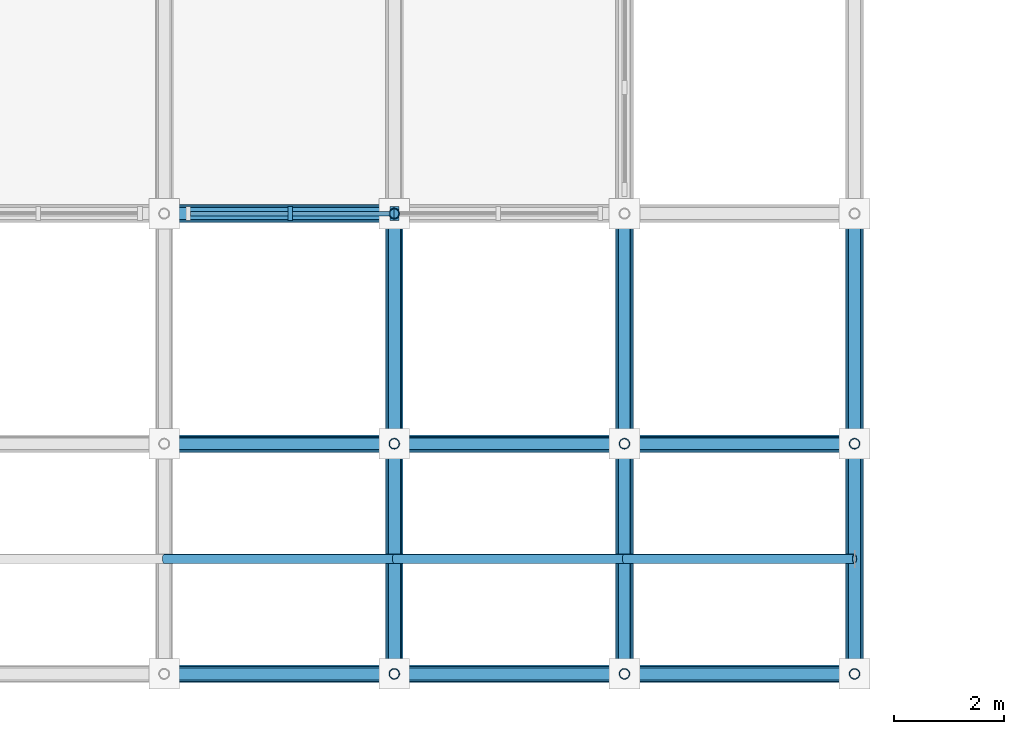
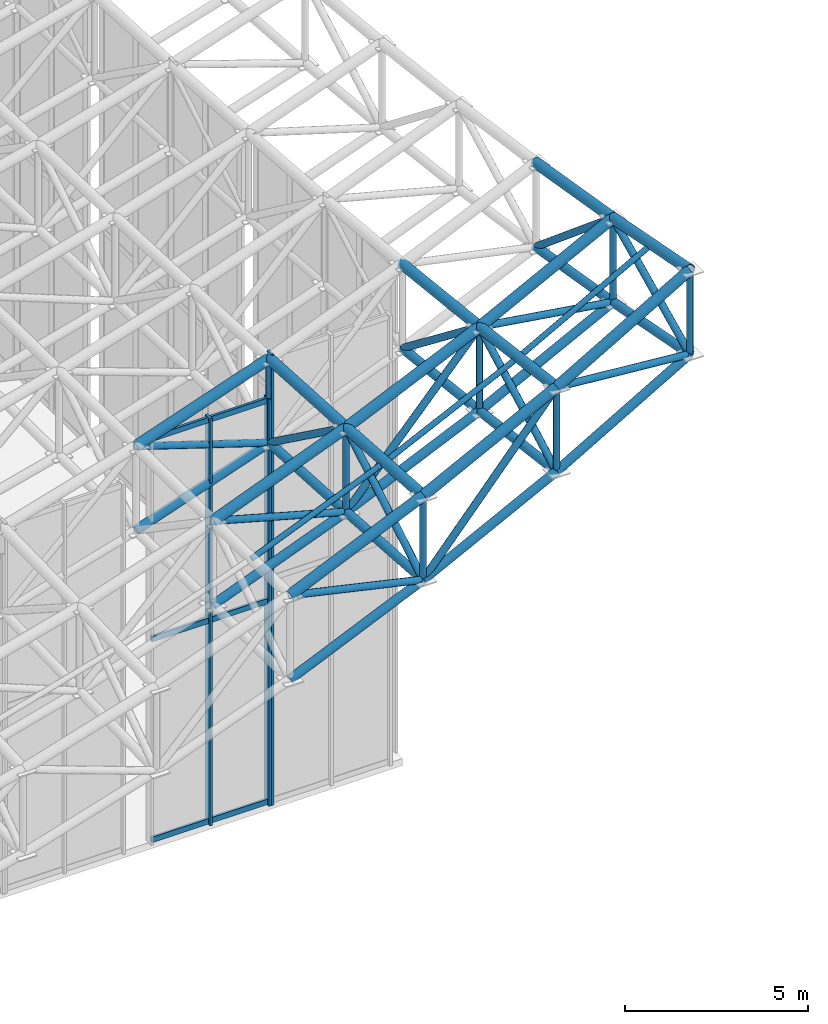
# One storey, part 38 of 93: 58 members, 2 elements without a shape of their own.
"""IFC4 building model written with IfcOpenShell, lengths in metres."""

from ifc_helpers import new_model, si_unit, direction, frame, origin, origin_2d, place, context, subcontext, project, spatial, rectangle, hollow_circle, extrude, material, material_profile, profile_set, type_object, element, aggregate, save


model = new_model("IFC4")

# Units and contexts
model_context = context("Model", 3, precision=1e-05, world=origin(), true_north=direction((0.0, 1.0)))
body_context = subcontext(model_context, "Body", "Model", "MODEL_VIEW")
ifc_project = project(units=[si_unit("LENGTHUNIT", "METRE"), si_unit("AREAUNIT", "SQUARE_METRE"), si_unit("VOLUMEUNIT", "CUBIC_METRE"), si_unit("PLANEANGLEUNIT", "RADIAN"), si_unit("MASSUNIT", "GRAM", prefix="KILO")], contexts=[model_context])

# Site, building, storey
site_placement = place(None, origin())
site = spatial("IfcSite", under=ifc_project, at=site_placement, CompositionType="ELEMENT")
building_placement = place(site_placement, origin())
building = spatial("IfcBuilding", under=site, at=building_placement, Name="Cumbredor Promenade Congress Hotel", CompositionType="ELEMENT")
storey_placement = place(building_placement, frame((0.0, 0.0, 21.840087890625)))
storey = spatial("IfcBuildingStorey", under=building, at=storey_placement, Name="L06", CompositionType="ELEMENT", Elevation=21.840087890625)

# Curtain wall, members
ifc_material_1 = material(Name="Thermally broken anodized aluminium and low-E glass", Category="aluminium")
curtain_wall_type = type_object("IfcCurtainWallType", Name="Stepped Pavilion Clerestory Curtain Wall CW-06", PredefinedType="NOTDEFINED", material=ifc_material_1)
curtain_wall_1_placement = place(storey_placement, origin())
curtain_wall_1 = element("IfcCurtainWall", 1, at=curtain_wall_1_placement, inside=storey, type_object=curtain_wall_type, Name="Plenary Congress Hall S Glazed Clerestory 13", PredefinedType="NOTDEFINED")
ifc_material_2 = material(Name="Thermally broken anodized aluminium", Category="aluminium")
ifc_material_profile_1 = material_profile(ifc_material_2, rectangle(XDim=0.0849609375, YDim=0.260009765625, at=origin_2d()), Name="ALU MULLION CLERESTORY 85x260")
ifc_profile_set_1 = profile_set([ifc_material_profile_1], Name="Thermally broken anodized aluminium")
member_type_1 = type_object("IfcMemberType", Name="Curtain Wall Mullion ML-04", PredefinedType="MULLION", material=ifc_profile_set_1)
member_1_placement = place(storey_placement, frame((61.10009765625, 8.39990234375, -0.01806640625), z_axis=(0.0, 0.0, 1.0), x_axis=(1.0, 0.0, 0.0)))
member_1 = element("IfcMember", 2, at=member_1_placement, type_object=member_type_1, Name="Plenary Congress Hall S Glazed Clerestory 13 Mullion 2", PredefinedType="MULLION", context=body_context, shape_type="SweptSolid", body=[
    extrude(rectangle(XDim=0.0849609375, YDim=0.260009765625, at=origin_2d()), origin(), (0.0, 0.0, 1.0), 13.553955078125),
])
member_2_placement = place(storey_placement, frame((62.9599609375, 8.39990234375, -0.01806640625), z_axis=(0.0, 0.0, 1.0), x_axis=(1.0, 0.0, 0.0)))
member_2 = element("IfcMember", 3, at=member_2_placement, type_object=member_type_1, Name="Plenary Congress Hall S Glazed Clerestory 13 Mullion 3", PredefinedType="MULLION", context=body_context, shape_type="SweptSolid", body=[
    extrude(rectangle(XDim=0.0849609375, YDim=0.260009765625, at=origin_2d()), origin(), (0.0, 0.0, 1.0), 13.553955078125),
])

# Curtain wall, member
curtain_wall_2_placement = place(storey_placement, origin())
curtain_wall_2 = element("IfcCurtainWall", 4, at=curtain_wall_2_placement, inside=storey, type_object=curtain_wall_type, Name="Plenary Congress Hall S Glazed Clerestory 14", PredefinedType="NOTDEFINED")
member_3_placement = place(storey_placement, frame((63.0400390625, 8.39990234375, -0.01806640625), z_axis=(0.0, 0.0, 1.0), x_axis=(1.0, 0.0, 0.0)))
member_3 = element("IfcMember", 5, at=member_3_placement, type_object=member_type_1, Name="Plenary Congress Hall S Glazed Clerestory 14 Mullion 1", PredefinedType="MULLION", context=body_context, shape_type="SweptSolid", body=[
    extrude(rectangle(XDim=0.0849609375, YDim=0.260009765625, at=origin_2d()), origin(), (0.0, 0.0, 1.0), 15.0029296875),
])
aggregate(curtain_wall_2, [member_3])

# Member
ifc_material_profile_2 = material_profile(ifc_material_2, rectangle(XDim=0.080078125, YDim=0.179931640625, at=origin_2d()), Name="ALU TRANSOM 80x180")
ifc_profile_set_2 = profile_set([ifc_material_profile_2], Name="Thermally broken anodized aluminium")
member_type_2 = type_object("IfcMemberType", Name="Curtain Wall Transom TR-03", PredefinedType="USERDEFINED", material=ifc_profile_set_2)
member_4_placement = place(storey_placement, frame((59.282470703125, 8.39990234375, 0.079833984375), z_axis=(1.0, 0.0, 0.0), x_axis=(0.0, 1.0, 0.0)))
member_4 = element("IfcMember", 6, at=member_4_placement, type_object=member_type_2, Name="Plenary Congress Hall S Glazed Clerestory 13 Transom 1.1", ObjectType="TRANSOM", PredefinedType="USERDEFINED", context=body_context, shape_type="SweptSolid", body=[
    extrude(rectangle(XDim=0.080078125, YDim=0.179931640625, at=origin_2d()), origin(), (0.0, 0.0, 1.0), 1.775146484375),
])

member_5_placement = place(storey_placement, frame((59.282470703125, 8.39990234375, 6.760009765625), z_axis=(1.0, 0.0, 0.0), x_axis=(0.0, 1.0, 0.0)))
member_5 = element("IfcMember", 7, at=member_5_placement, type_object=member_type_2, Name="Plenary Congress Hall S Glazed Clerestory 13 Transom 1.2", ObjectType="TRANSOM", PredefinedType="USERDEFINED", context=body_context, shape_type="SweptSolid", body=[
    extrude(rectangle(XDim=0.080078125, YDim=0.179931640625, at=origin_2d()), origin(), (0.0, 0.0, 1.0), 1.775146484375),
])

member_6_placement = place(storey_placement, frame((59.282470703125, 8.39990234375, 13.43994140625), z_axis=(1.0, 0.0, 0.0), x_axis=(0.0, 1.0, 0.0)))
member_6 = element("IfcMember", 8, at=member_6_placement, type_object=member_type_2, Name="Plenary Congress Hall S Glazed Clerestory 13 Transom 1.3", ObjectType="TRANSOM", PredefinedType="USERDEFINED", context=body_context, shape_type="SweptSolid", body=[
    extrude(rectangle(XDim=0.080078125, YDim=0.179931640625, at=origin_2d()), origin(), (0.0, 0.0, 1.0), 1.775146484375),
])

member_7_placement = place(storey_placement, frame((61.142578125, 8.39990234375, 0.079833984375), z_axis=(1.0, 0.0, 0.0), x_axis=(0.0, 1.0, 0.0)))
member_7 = element("IfcMember", 9, at=member_7_placement, type_object=member_type_2, Name="Plenary Congress Hall S Glazed Clerestory 13 Transom 2.1", ObjectType="TRANSOM", PredefinedType="USERDEFINED", context=body_context, shape_type="SweptSolid", body=[
    extrude(rectangle(XDim=0.080078125, YDim=0.179931640625, at=origin_2d()), origin(), (0.0, 0.0, 1.0), 1.77490234375),
])

member_8_placement = place(storey_placement, frame((61.142578125, 8.39990234375, 6.760009765625), z_axis=(1.0, 0.0, 0.0), x_axis=(0.0, 1.0, 0.0)))
member_8 = element("IfcMember", 10, at=member_8_placement, type_object=member_type_2, Name="Plenary Congress Hall S Glazed Clerestory 13 Transom 2.2", ObjectType="TRANSOM", PredefinedType="USERDEFINED", context=body_context, shape_type="SweptSolid", body=[
    extrude(rectangle(XDim=0.080078125, YDim=0.179931640625, at=origin_2d()), origin(), (0.0, 0.0, 1.0), 1.77490234375),
])

member_9_placement = place(storey_placement, frame((61.142578125, 8.39990234375, 13.43994140625), z_axis=(1.0, 0.0, 0.0), x_axis=(0.0, 1.0, 0.0)))
member_9 = element("IfcMember", 11, at=member_9_placement, type_object=member_type_2, Name="Plenary Congress Hall S Glazed Clerestory 13 Transom 2.3", ObjectType="TRANSOM", PredefinedType="USERDEFINED", context=body_context, shape_type="SweptSolid", body=[
    extrude(rectangle(XDim=0.080078125, YDim=0.179931640625, at=origin_2d()), origin(), (0.0, 0.0, 1.0), 1.77490234375),
])

aggregate(curtain_wall_1, [member_1, member_2, member_4, member_5, member_6, member_7, member_8, member_9])

# Members
ifc_material_3 = material(Name="Steel ASTM A500 Grade C", Category="steel")
ifc_material_profile_3 = material_profile(ifc_material_3, hollow_circle(Radius=0.136474609375, WallThickness=0.01611328125, at=origin_2d()), Name="CHS 273.0x16")
ifc_profile_set_3 = profile_set([ifc_material_profile_3], Name="Steel ASTM A500 Grade C")
member_type_3 = type_object("IfcMemberType", Name="Plenary Roof Space Frame Bottom Chord", PredefinedType="CHORD", material=ifc_profile_set_3)
member_10_placement = place(storey_placement, frame((58.800048828125, 0.0, 10.672119140625), z_axis=(0.914850207029, 0.0, 0.403793386152), x_axis=(0.0, 1.0, 0.0)))
element("IfcMember", 12, at=member_10_placement, inside=storey, type_object=member_type_3, Name="Plenary Congress Hall X Bottom Chord 16.1", PredefinedType="CHORD", context=body_context, shape_type="SweptSolid", body=[
    extrude(hollow_circle(Radius=0.136474609375, WallThickness=0.01611328125, at=origin_2d()), origin(), (0.0, 0.0, 1.0), 4.5908203125),
])
member_11_placement = place(storey_placement, frame((63.0, 0.0, 12.52587890625), z_axis=(0.891118940449, 0.0, 0.453769802844), x_axis=(0.0, 1.0, 0.0)))
element("IfcMember", 13, at=member_11_placement, inside=storey, type_object=member_type_3, Name="Plenary Congress Hall X Bottom Chord 17.1", PredefinedType="CHORD", context=body_context, shape_type="SweptSolid", body=[
    extrude(hollow_circle(Radius=0.136474609375, WallThickness=0.01611328125, at=origin_2d()), origin(), (0.0, 0.0, 1.0), 4.713134765625),
])
member_12_placement = place(storey_placement, frame((67.199951171875, 0.0, 14.66455078125), z_axis=(0.865134625369, 0.0, 0.501539709283), x_axis=(0.0, 1.0, 0.0)))
element("IfcMember", 14, at=member_12_placement, inside=storey, type_object=member_type_3, Name="Plenary Congress Hall X Bottom Chord 18.1", PredefinedType="CHORD", context=body_context, shape_type="SweptSolid", body=[
    extrude(hollow_circle(Radius=0.136474609375, WallThickness=0.01611328125, at=origin_2d()), origin(), (0.0, 0.0, 1.0), 4.854736328125),
])
member_13_placement = place(storey_placement, frame((58.800048828125, 4.199951171875, 10.603271484375), z_axis=(0.931730987888, 0.0, 0.363149234075), x_axis=(0.0, 1.0, 0.0)))
element("IfcMember", 15, at=member_13_placement, inside=storey, type_object=member_type_3, Name="Plenary Congress Hall X Bottom Chord 16.2", PredefinedType="CHORD", context=body_context, shape_type="SweptSolid", body=[
    extrude(hollow_circle(Radius=0.136474609375, WallThickness=0.01611328125, at=origin_2d()), origin(), (0.0, 0.0, 1.0), 4.507568359375),
])
member_14_placement = place(storey_placement, frame((63.0, 4.199951171875, 12.240234375), z_axis=(0.91202761612, 0.0, 0.410128793716), x_axis=(0.0, 1.0, 0.0)))
element("IfcMember", 16, at=member_14_placement, inside=storey, type_object=member_type_3, Name="Plenary Congress Hall X Bottom Chord 17.2", PredefinedType="CHORD", context=body_context, shape_type="SweptSolid", body=[
    extrude(hollow_circle(Radius=0.136474609375, WallThickness=0.01611328125, at=origin_2d()), origin(), (0.0, 0.0, 1.0), 4.60498046875),
])
member_15_placement = place(storey_placement, frame((67.199951171875, 4.199951171875, 14.12890625), z_axis=(0.889587462598, 0.0, 0.456764869914), x_axis=(0.0, 1.0, 0.0)))
element("IfcMember", 17, at=member_15_placement, inside=storey, type_object=member_type_3, Name="Plenary Congress Hall X Bottom Chord 18.2", PredefinedType="CHORD", context=body_context, shape_type="SweptSolid", body=[
    extrude(hollow_circle(Radius=0.136474609375, WallThickness=0.01611328125, at=origin_2d()), origin(), (0.0, 0.0, 1.0), 4.72119140625),
])
member_16_placement = place(storey_placement, frame((58.800048828125, 8.39990234375, 10.5478515625), z_axis=(0.945323333671, 0.0, 0.326134626829), x_axis=(0.0, 1.0, 0.0)))
element("IfcMember", 18, at=member_16_placement, inside=storey, type_object=member_type_3, Name="Plenary Congress Hall X Bottom Chord 16.3", PredefinedType="CHORD", context=body_context, shape_type="SweptSolid", body=[
    extrude(hollow_circle(Radius=0.136474609375, WallThickness=0.01611328125, at=origin_2d()), origin(), (0.0, 0.0, 1.0), 4.44287109375),
])
member_17_placement = place(storey_placement, frame((63.0, 0.0, 12.52587890625), z_axis=(0.0, 0.997695217775, -0.067854641911), x_axis=(-1.0, 0.0, 0.0)))
element("IfcMember", 19, at=member_17_placement, inside=storey, type_object=member_type_3, Name="Plenary Congress Hall Y Bottom Chord 17.1", PredefinedType="CHORD", context=body_context, shape_type="SweptSolid", body=[
    extrude(hollow_circle(Radius=0.136474609375, WallThickness=0.01611328125, at=origin_2d()), origin(), (0.0, 0.0, 1.0), 4.209716796875),
])
member_18_placement = place(storey_placement, frame((63.0, 4.199951171875, 12.240234375), z_axis=(0.0, 0.99832482726, -0.057857923198), x_axis=(-1.0, 0.0, 0.0)))
element("IfcMember", 20, at=member_18_placement, inside=storey, type_object=member_type_3, Name="Plenary Congress Hall Y Bottom Chord 17.2", PredefinedType="CHORD", context=body_context, shape_type="SweptSolid", body=[
    extrude(hollow_circle(Radius=0.136474609375, WallThickness=0.01611328125, at=origin_2d()), origin(), (0.0, 0.0, 1.0), 4.20703125),
])
member_19_placement = place(storey_placement, frame((67.199951171875, 0.0, 14.66455078125), z_axis=(0.0, 0.991965183128, -0.126511167342), x_axis=(-1.0, 0.0, 0.0)))
element("IfcMember", 21, at=member_19_placement, inside=storey, type_object=member_type_3, Name="Plenary Congress Hall Y Bottom Chord 18.1", PredefinedType="CHORD", context=body_context, shape_type="SweptSolid", body=[
    extrude(hollow_circle(Radius=0.136474609375, WallThickness=0.01611328125, at=origin_2d()), origin(), (0.0, 0.0, 1.0), 4.23388671875),
])
member_20_placement = place(storey_placement, frame((67.199951171875, 4.199951171875, 14.12890625), z_axis=(0.0, 0.99404404365, -0.108979077273), x_axis=(-1.0, 0.0, 0.0)))
element("IfcMember", 22, at=member_20_placement, inside=storey, type_object=member_type_3, Name="Plenary Congress Hall Y Bottom Chord 18.2", PredefinedType="CHORD", context=body_context, shape_type="SweptSolid", body=[
    extrude(hollow_circle(Radius=0.136474609375, WallThickness=0.01611328125, at=origin_2d()), origin(), (0.0, 0.0, 1.0), 4.22509765625),
])
member_21_placement = place(storey_placement, frame((71.39990234375, 0.0, 17.099365234375), z_axis=(0.0, 0.981733113687, -0.190263221591), x_axis=(-1.0, 0.0, 0.0)))
element("IfcMember", 23, at=member_21_placement, inside=storey, type_object=member_type_3, Name="Plenary Congress Hall Y Bottom Chord 19.1", PredefinedType="CHORD", context=body_context, shape_type="SweptSolid", body=[
    extrude(hollow_circle(Radius=0.136474609375, WallThickness=0.01611328125, at=origin_2d()), origin(), (0.0, 0.0, 1.0), 4.278076171875),
])
member_22_placement = place(storey_placement, frame((71.39990234375, 4.199951171875, 16.285400390625), z_axis=(0.0, 0.986030601948, -0.166564257935), x_axis=(-1.0, 0.0, 0.0)))
element("IfcMember", 24, at=member_22_placement, inside=storey, type_object=member_type_3, Name="Plenary Congress Hall Y Bottom Chord 19.2", PredefinedType="CHORD", context=body_context, shape_type="SweptSolid", body=[
    extrude(hollow_circle(Radius=0.136474609375, WallThickness=0.01611328125, at=origin_2d()), origin(), (0.0, 0.0, 1.0), 4.259521484375),
])
ifc_material_profile_4 = material_profile(ifc_material_3, hollow_circle(Radius=0.161865234375, WallThickness=0.01611328125, at=origin_2d()), Name="CHS 323.9x16")
ifc_profile_set_4 = profile_set([ifc_material_profile_4], Name="Steel ASTM A500 Grade C")
member_type_4 = type_object("IfcMemberType", Name="Plenary Roof Space Frame Top Chord", PredefinedType="CHORD", material=ifc_profile_set_4)
member_23_placement = place(storey_placement, frame((58.800048828125, 0.0, 13.47216796875), z_axis=(0.914850207029, 0.0, 0.403793386152), x_axis=(0.0, 1.0, 0.0)))
element("IfcMember", 25, at=member_23_placement, inside=storey, type_object=member_type_4, Name="Plenary Congress Hall X Top Chord 16.1", PredefinedType="CHORD", context=body_context, shape_type="SweptSolid", body=[
    extrude(hollow_circle(Radius=0.161865234375, WallThickness=0.01611328125, at=origin_2d()), origin(), (0.0, 0.0, 1.0), 4.5908203125),
])
member_24_placement = place(storey_placement, frame((63.0, 0.0, 15.325927734375), z_axis=(0.891118940449, 0.0, 0.453769802844), x_axis=(0.0, 1.0, 0.0)))
element("IfcMember", 26, at=member_24_placement, inside=storey, type_object=member_type_4, Name="Plenary Congress Hall X Top Chord 17.1", PredefinedType="CHORD", context=body_context, shape_type="SweptSolid", body=[
    extrude(hollow_circle(Radius=0.161865234375, WallThickness=0.01611328125, at=origin_2d()), origin(), (0.0, 0.0, 1.0), 4.713134765625),
])
member_25_placement = place(storey_placement, frame((67.199951171875, 0.0, 17.464599609375), z_axis=(0.865134625369, 0.0, 0.501539709283), x_axis=(0.0, 1.0, 0.0)))
element("IfcMember", 27, at=member_25_placement, inside=storey, type_object=member_type_4, Name="Plenary Congress Hall X Top Chord 18.1", PredefinedType="CHORD", context=body_context, shape_type="SweptSolid", body=[
    extrude(hollow_circle(Radius=0.161865234375, WallThickness=0.01611328125, at=origin_2d()), origin(), (0.0, 0.0, 1.0), 4.854736328125),
])
member_26_placement = place(storey_placement, frame((58.800048828125, 4.199951171875, 13.4033203125), z_axis=(0.931730987888, 0.0, 0.363149234075), x_axis=(0.0, 1.0, 0.0)))
element("IfcMember", 28, at=member_26_placement, inside=storey, type_object=member_type_4, Name="Plenary Congress Hall X Top Chord 16.2", PredefinedType="CHORD", context=body_context, shape_type="SweptSolid", body=[
    extrude(hollow_circle(Radius=0.161865234375, WallThickness=0.01611328125, at=origin_2d()), origin(), (0.0, 0.0, 1.0), 4.507568359375),
])
member_27_placement = place(storey_placement, frame((63.0, 4.199951171875, 15.040283203125), z_axis=(0.912047445911, 0.0, 0.410084694188), x_axis=(0.0, 1.0, 0.0)))
element("IfcMember", 29, at=member_27_placement, inside=storey, type_object=member_type_4, Name="Plenary Congress Hall X Top Chord 17.2", PredefinedType="CHORD", context=body_context, shape_type="SweptSolid", body=[
    extrude(hollow_circle(Radius=0.161865234375, WallThickness=0.01611328125, at=origin_2d()), origin(), (0.0, 0.0, 1.0), 4.60498046875),
])
member_28_placement = place(storey_placement, frame((67.199951171875, 4.199951171875, 16.9287109375), z_axis=(0.88956645023, 0.0, 0.456805790928), x_axis=(0.0, 1.0, 0.0)))
element("IfcMember", 30, at=member_28_placement, inside=storey, type_object=member_type_4, Name="Plenary Congress Hall X Top Chord 18.2", PredefinedType="CHORD", context=body_context, shape_type="SweptSolid", body=[
    extrude(hollow_circle(Radius=0.161865234375, WallThickness=0.01611328125, at=origin_2d()), origin(), (0.0, 0.0, 1.0), 4.721435546875),
])
member_29_placement = place(storey_placement, frame((58.800048828125, 8.39990234375, 13.347900390625), z_axis=(0.945323333671, 0.0, 0.326134626829), x_axis=(0.0, 1.0, 0.0)))
element("IfcMember", 31, at=member_29_placement, inside=storey, type_object=member_type_4, Name="Plenary Congress Hall X Top Chord 16.3", PredefinedType="CHORD", context=body_context, shape_type="SweptSolid", body=[
    extrude(hollow_circle(Radius=0.161865234375, WallThickness=0.01611328125, at=origin_2d()), origin(), (0.0, 0.0, 1.0), 4.44287109375),
])
member_30_placement = place(storey_placement, frame((63.0, 0.0, 15.325927734375), z_axis=(0.0, 0.997695217775, -0.067854641911), x_axis=(-1.0, 0.0, 0.0)))
element("IfcMember", 32, at=member_30_placement, inside=storey, type_object=member_type_4, Name="Plenary Congress Hall Y Top Chord 17.1", PredefinedType="CHORD", context=body_context, shape_type="SweptSolid", body=[
    extrude(hollow_circle(Radius=0.161865234375, WallThickness=0.01611328125, at=origin_2d()), origin(), (0.0, 0.0, 1.0), 4.209716796875),
])
member_31_placement = place(storey_placement, frame((63.0, 4.199951171875, 15.040283203125), z_axis=(0.0, 0.99832482726, -0.057857923198), x_axis=(-1.0, 0.0, 0.0)))
element("IfcMember", 33, at=member_31_placement, inside=storey, type_object=member_type_4, Name="Plenary Congress Hall Y Top Chord 17.2", PredefinedType="CHORD", context=body_context, shape_type="SweptSolid", body=[
    extrude(hollow_circle(Radius=0.161865234375, WallThickness=0.01611328125, at=origin_2d()), origin(), (0.0, 0.0, 1.0), 4.20703125),
])
member_32_placement = place(storey_placement, frame((67.199951171875, 0.0, 17.464599609375), z_axis=(0.0, 0.991957945242, -0.126567906168), x_axis=(-1.0, 0.0, 0.0)))
element("IfcMember", 34, at=member_32_placement, inside=storey, type_object=member_type_4, Name="Plenary Congress Hall Y Top Chord 18.1", PredefinedType="CHORD", context=body_context, shape_type="SweptSolid", body=[
    extrude(hollow_circle(Radius=0.161865234375, WallThickness=0.01611328125, at=origin_2d()), origin(), (0.0, 0.0, 1.0), 4.23388671875),
])
member_33_placement = place(storey_placement, frame((67.199951171875, 4.199951171875, 16.9287109375), z_axis=(0.0, 0.994050301702, -0.108921979812), x_axis=(-1.0, 0.0, 0.0)))
element("IfcMember", 35, at=member_33_placement, inside=storey, type_object=member_type_4, Name="Plenary Congress Hall Y Top Chord 18.2", PredefinedType="CHORD", context=body_context, shape_type="SweptSolid", body=[
    extrude(hollow_circle(Radius=0.161865234375, WallThickness=0.01611328125, at=origin_2d()), origin(), (0.0, 0.0, 1.0), 4.22509765625),
])
member_34_placement = place(storey_placement, frame((71.39990234375, 0.0, 19.8994140625), z_axis=(0.0, 0.981733113687, -0.190263221591), x_axis=(-1.0, 0.0, 0.0)))
element("IfcMember", 36, at=member_34_placement, inside=storey, type_object=member_type_4, Name="Plenary Congress Hall Y Top Chord 19.1", PredefinedType="CHORD", context=body_context, shape_type="SweptSolid", body=[
    extrude(hollow_circle(Radius=0.161865234375, WallThickness=0.01611328125, at=origin_2d()), origin(), (0.0, 0.0, 1.0), 4.278076171875),
])
member_35_placement = place(storey_placement, frame((71.39990234375, 4.199951171875, 19.08544921875), z_axis=(0.0, 0.986021186806, -0.166619984308), x_axis=(-1.0, 0.0, 0.0)))
element("IfcMember", 37, at=member_35_placement, inside=storey, type_object=member_type_4, Name="Plenary Congress Hall Y Top Chord 19.2", PredefinedType="CHORD", context=body_context, shape_type="SweptSolid", body=[
    extrude(hollow_circle(Radius=0.161865234375, WallThickness=0.01611328125, at=origin_2d()), origin(), (0.0, 0.0, 1.0), 4.259521484375),
])
ifc_material_profile_5 = material_profile(ifc_material_3, hollow_circle(Radius=0.084228515625, WallThickness=0.010009765625, at=origin_2d()), Name="CHS 168.3x10")
ifc_profile_set_5 = profile_set([ifc_material_profile_5], Name="Steel ASTM A500 Grade C")
member_type_5 = type_object("IfcMemberType", Name="Roof Purlin CHS168", PredefinedType="PURLIN", material=ifc_profile_set_5)
member_36_placement = place(storey_placement, frame((58.800048828125, 2.10009765625, 13.417724609375), z_axis=(0.923437023383, 0.0, 0.383750001753), x_axis=(0.0, 1.0, 0.0)))
element("IfcMember", 38, at=member_36_placement, inside=storey, type_object=member_type_5, Name="Plenary Congress Hall Roof Eave Purlin 16.1", PredefinedType="PURLIN", context=body_context, shape_type="SweptSolid", body=[
    extrude(hollow_circle(Radius=0.084228515625, WallThickness=0.010009765625, at=origin_2d()), origin(), (0.0, 0.0, 1.0), 4.548095703125),
])
member_37_placement = place(storey_placement, frame((63.0, 2.10009765625, 15.1630859375), z_axis=(0.901716001188, 0.0, 0.43232887158), x_axis=(0.0, 1.0, 0.0)))
element("IfcMember", 39, at=member_37_placement, inside=storey, type_object=member_type_5, Name="Plenary Congress Hall Roof Eave Purlin 17.1", PredefinedType="PURLIN", context=body_context, shape_type="SweptSolid", body=[
    extrude(hollow_circle(Radius=0.084228515625, WallThickness=0.010009765625, at=origin_2d()), origin(), (0.0, 0.0, 1.0), 4.65771484375),
])
member_38_placement = place(storey_placement, frame((67.199951171875, 2.10009765625, 17.1767578125), z_axis=(0.877476133275, 0.0, 0.479620303504), x_axis=(0.0, 1.0, 0.0)))
element("IfcMember", 40, at=member_38_placement, inside=storey, type_object=member_type_5, Name="Plenary Congress Hall Roof Eave Purlin 18.1", PredefinedType="PURLIN", context=body_context, shape_type="SweptSolid", body=[
    extrude(hollow_circle(Radius=0.084228515625, WallThickness=0.010009765625, at=origin_2d()), origin(), (0.0, 0.0, 1.0), 4.786376953125),
])
ifc_material_profile_6 = material_profile(ifc_material_3, hollow_circle(Radius=0.109619140625, WallThickness=0.012451171875, at=origin_2d()), Name="CHS 219.1x12.5")
ifc_profile_set_6 = profile_set([ifc_material_profile_6], Name="Steel ASTM A500 Grade C")
member_type_6 = type_object("IfcMemberType", Name="Space Frame Web Diagonal D1", PredefinedType="BRACE", material=ifc_profile_set_6)
member_39_placement = place(storey_placement, frame((58.800048828125, 0.0, 13.47216796875), z_axis=(0.975545044553, 0.0, -0.219799604295), x_axis=(0.0, 1.0, 0.0)))
element("IfcMember", 41, at=member_39_placement, inside=storey, type_object=member_type_6, Name="Plenary Congress Hall X Web Diagonal 16.1", PredefinedType="BRACE", context=body_context, shape_type="SweptSolid", body=[
    extrude(hollow_circle(Radius=0.109619140625, WallThickness=0.012451171875, at=origin_2d()), origin(), (0.0, 0.0, 1.0), 4.30517578125),
])
member_40_placement = place(storey_placement, frame((63.0, 0.0, 12.52587890625), z_axis=(0.647830952732, 0.0, 0.76178412735), x_axis=(0.0, 1.0, 0.0)))
element("IfcMember", 42, at=member_40_placement, inside=storey, type_object=member_type_6, Name="Plenary Congress Hall X Web Diagonal 17.1", PredefinedType="BRACE", context=body_context, shape_type="SweptSolid", body=[
    extrude(hollow_circle(Radius=0.109619140625, WallThickness=0.012451171875, at=origin_2d()), origin(), (0.0, 0.0, 1.0), 6.483154296875),
])
member_41_placement = place(storey_placement, frame((67.199951171875, 0.0, 17.464599609375), z_axis=(0.99624015358, 0.0, -0.086634614297), x_axis=(0.0, 1.0, 0.0)))
element("IfcMember", 43, at=member_41_placement, inside=storey, type_object=member_type_6, Name="Plenary Congress Hall X Web Diagonal 18.1", PredefinedType="BRACE", context=body_context, shape_type="SweptSolid", body=[
    extrude(hollow_circle(Radius=0.109619140625, WallThickness=0.012451171875, at=origin_2d()), origin(), (0.0, 0.0, 1.0), 4.2158203125),
])
member_42_placement = place(storey_placement, frame((58.800048828125, 4.199951171875, 13.4033203125), z_axis=(0.963728691844, 0.0, -0.266883885831), x_axis=(0.0, 1.0, 0.0)))
element("IfcMember", 44, at=member_42_placement, inside=storey, type_object=member_type_6, Name="Plenary Congress Hall X Web Diagonal 16.2", PredefinedType="BRACE", context=body_context, shape_type="SweptSolid", body=[
    extrude(hollow_circle(Radius=0.109619140625, WallThickness=0.012451171875, at=origin_2d()), origin(), (0.0, 0.0, 1.0), 4.35791015625),
])
member_43_placement = place(storey_placement, frame((63.0, 4.199951171875, 12.240234375), z_axis=(0.667235769504, 0.0, 0.744846580105), x_axis=(0.0, 1.0, 0.0)))
element("IfcMember", 45, at=member_43_placement, inside=storey, type_object=member_type_6, Name="Plenary Congress Hall X Web Diagonal 17.2", PredefinedType="BRACE", context=body_context, shape_type="SweptSolid", body=[
    extrude(hollow_circle(Radius=0.109619140625, WallThickness=0.012451171875, at=origin_2d()), origin(), (0.0, 0.0, 1.0), 6.29443359375),
])
member_44_placement = place(storey_placement, frame((67.199951171875, 4.199951171875, 16.9287109375), z_axis=(0.988471787229, 0.0, -0.151405171153), x_axis=(0.0, 1.0, 0.0)))
element("IfcMember", 46, at=member_44_placement, inside=storey, type_object=member_type_6, Name="Plenary Congress Hall X Web Diagonal 18.2", PredefinedType="BRACE", context=body_context, shape_type="SweptSolid", body=[
    extrude(hollow_circle(Radius=0.109619140625, WallThickness=0.012451171875, at=origin_2d()), origin(), (0.0, 0.0, 1.0), 4.2490234375),
])
member_45_placement = place(storey_placement, frame((58.800048828125, 8.39990234375, 13.347900390625), z_axis=(0.951956565311, 0.0, -0.306233077511), x_axis=(0.0, 1.0, 0.0)))
element("IfcMember", 47, at=member_45_placement, inside=storey, type_object=member_type_6, Name="Plenary Congress Hall X Web Diagonal 16.3", PredefinedType="BRACE", context=body_context, shape_type="SweptSolid", body=[
    extrude(hollow_circle(Radius=0.109619140625, WallThickness=0.012451171875, at=origin_2d()), origin(), (0.0, 0.0, 1.0), 4.411865234375),
])
member_46_placement = place(storey_placement, frame((63.0, 0.0, 12.52587890625), z_axis=(0.0, 0.857994198709, 0.513659376417), x_axis=(-1.0, 0.0, 0.0)))
element("IfcMember", 48, at=member_46_placement, inside=storey, type_object=member_type_6, Name="Plenary Congress Hall Y Web Diagonal 17.1", PredefinedType="BRACE", context=body_context, shape_type="SweptSolid", body=[
    extrude(hollow_circle(Radius=0.109619140625, WallThickness=0.012451171875, at=origin_2d()), origin(), (0.0, 0.0, 1.0), 4.89501953125),
])
member_47_placement = place(storey_placement, frame((63.0, 4.199951171875, 15.040283203125), z_axis=(0.0, 0.809748546254, -0.586777037587), x_axis=(-1.0, 0.0, 0.0)))
element("IfcMember", 49, at=member_47_placement, inside=storey, type_object=member_type_6, Name="Plenary Congress Hall Y Web Diagonal 17.2", PredefinedType="BRACE", context=body_context, shape_type="SweptSolid", body=[
    extrude(hollow_circle(Radius=0.109619140625, WallThickness=0.012451171875, at=origin_2d()), origin(), (0.0, 0.0, 1.0), 5.186767578125),
])
member_48_placement = place(storey_placement, frame((67.199951171875, 0.0, 14.66455078125), z_axis=(0.0, 0.880239331508, 0.474529998279), x_axis=(-1.0, 0.0, 0.0)))
element("IfcMember", 50, at=member_48_placement, inside=storey, type_object=member_type_6, Name="Plenary Congress Hall Y Web Diagonal 18.1", PredefinedType="BRACE", context=body_context, shape_type="SweptSolid", body=[
    extrude(hollow_circle(Radius=0.109619140625, WallThickness=0.012451171875, at=origin_2d()), origin(), (0.0, 0.0, 1.0), 4.771484375),
])
member_49_placement = place(storey_placement, frame((67.199951171875, 4.199951171875, 16.9287109375), z_axis=(0.0, 0.789932907256, -0.61319328277), x_axis=(-1.0, 0.0, 0.0)))
element("IfcMember", 51, at=member_49_placement, inside=storey, type_object=member_type_6, Name="Plenary Congress Hall Y Web Diagonal 18.2", PredefinedType="BRACE", context=body_context, shape_type="SweptSolid", body=[
    extrude(hollow_circle(Radius=0.109619140625, WallThickness=0.012451171875, at=origin_2d()), origin(), (0.0, 0.0, 1.0), 5.31689453125),
])
member_50_placement = place(storey_placement, frame((71.39990234375, 0.0, 17.099365234375), z_axis=(0.0, 0.904017991134, 0.427494411316), x_axis=(-1.0, 0.0, 0.0)))
element("IfcMember", 52, at=member_50_placement, inside=storey, type_object=member_type_6, Name="Plenary Congress Hall Y Web Diagonal 19.1", PredefinedType="BRACE", context=body_context, shape_type="SweptSolid", body=[
    extrude(hollow_circle(Radius=0.109619140625, WallThickness=0.012451171875, at=origin_2d()), origin(), (0.0, 0.0, 1.0), 4.645751953125),
])
member_51_placement = place(storey_placement, frame((71.39990234375, 4.199951171875, 19.08544921875), z_axis=(0.0, 0.767361368874, -0.641214885634), x_axis=(-1.0, 0.0, 0.0)))
element("IfcMember", 53, at=member_51_placement, inside=storey, type_object=member_type_6, Name="Plenary Congress Hall Y Web Diagonal 19.2", PredefinedType="BRACE", context=body_context, shape_type="SweptSolid", body=[
    extrude(hollow_circle(Radius=0.109619140625, WallThickness=0.012451171875, at=origin_2d()), origin(), (0.0, 0.0, 1.0), 5.47314453125),
])
ifc_material_profile_7 = material_profile(ifc_material_3, hollow_circle(Radius=0.096923828125, WallThickness=0.010009765625, at=origin_2d()), Name="CHS 193.7x10")
ifc_profile_set_7 = profile_set([ifc_material_profile_7], Name="Steel ASTM A500 Grade C")
member_type_7 = type_object("IfcMemberType", Name="Space Frame Web Post P1", PredefinedType="BRACE", material=ifc_profile_set_7)
for number, where, z_axis, x_axis, name in (
    (54, (63.0, 0.0, 12.52587890625), (0.0, 0.0, 1.0), (1.0, 0.0, 0.0), "Plenary Congress Hall Space Frame Web Post 17.1"),
    (55, (63.0, 4.199951171875, 12.240234375), (0.0, 0.0, 1.0), (1.0, 0.0, 0.0), "Plenary Congress Hall Space Frame Web Post 17.2"),
    (56, (63.0, 8.39990234375, 11.996826171875), (0.0, 0.0, 1.0), (1.0, 0.0, 0.0), "Plenary Congress Hall Space Frame Web Post 17.3"),
    (57, (67.199951171875, 0.0, 14.66455078125), (0.0, 0.0, 1.0), (1.0, 0.0, 0.0), "Plenary Congress Hall Space Frame Web Post 18.1"),
):
    element("IfcMember", number, at=place(storey_placement, frame(where, z_axis=z_axis, x_axis=x_axis)), inside=storey, type_object=member_type_7, Name=name, PredefinedType="BRACE", context=body_context, shape_type="SweptSolid", body=[
        extrude(hollow_circle(Radius=0.096923828125, WallThickness=0.010009765625, at=origin_2d()), origin(), (0.0, 0.0, 1.0), 2.800048828125),
    ])
member_52_placement = place(storey_placement, frame((67.199951171875, 4.199951171875, 14.12890625), z_axis=(0.0, 0.0, 1.0), x_axis=(1.0, 0.0, 0.0)))
element("IfcMember", 58, at=member_52_placement, inside=storey, type_object=member_type_7, Name="Plenary Congress Hall Space Frame Web Post 18.2", PredefinedType="BRACE", context=body_context, shape_type="SweptSolid", body=[
    extrude(hollow_circle(Radius=0.096923828125, WallThickness=0.010009765625, at=origin_2d()), origin(), (0.0, 0.0, 1.0), 2.7998046875),
])
for number, where, z_axis, x_axis, name in (
    (59, (71.39990234375, 0.0, 17.099365234375), (0.0, 0.0, 1.0), (1.0, 0.0, 0.0), "Plenary Congress Hall Space Frame Web Post 19.1"),
    (60, (71.39990234375, 4.199951171875, 16.285400390625), (0.0, 0.0, 1.0), (1.0, 0.0, 0.0), "Plenary Congress Hall Space Frame Web Post 19.2"),
):
    element("IfcMember", number, at=place(storey_placement, frame(where, z_axis=z_axis, x_axis=x_axis)), inside=storey, type_object=member_type_7, Name=name, PredefinedType="BRACE", context=body_context, shape_type="SweptSolid", body=[
        extrude(hollow_circle(Radius=0.096923828125, WallThickness=0.010009765625, at=origin_2d()), origin(), (0.0, 0.0, 1.0), 2.800048828125),
    ])

save(model, "model.ifc")
